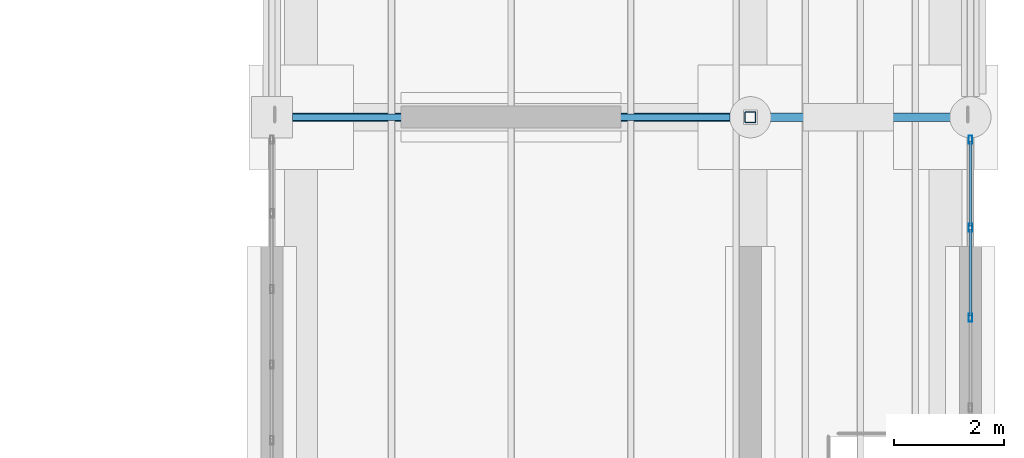
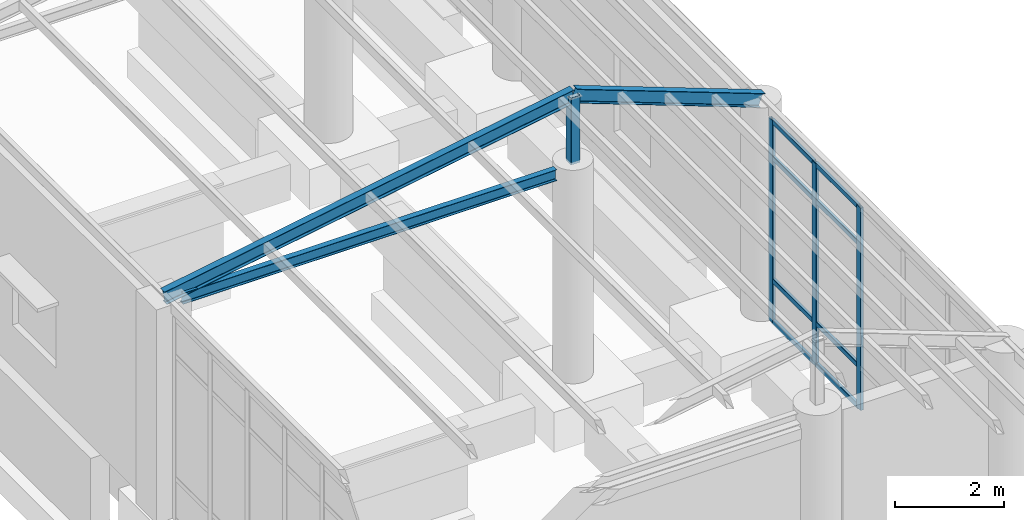
# One storey, part 68 of 111: 14 members, 1 beam, 1 element without a shape of its own.
"""IFC4 building model written with IfcOpenShell, lengths in metres."""

import ifcopenshell
import ifcopenshell.guid

model = None  # the IFC model being written
_history = None  # IfcOwnerHistory: only IFC2X3 demands one
_inside = {}  # id of a spatial element -> (the spatial element, [elements in it])
_under = {}  # id of a project, library or spatial element -> (it, [spatial elements below it])
_declared = {}  # id of a project -> (the project, [libraries it declares])
_typed = {}  # id of a type object -> (the type object, [elements of that type])
_made_of = {}  # id of a material, layer set ... -> (it, [elements and type objects made of it])


def new_model(schema):
    """Start an empty IFC model of exactly this schema.

    Asked for "IFC4X3", IfcOpenShell would pick the latest addendum, in which some entities
    have other attributes; the version numbers below select the first issue.
    IFC2X3 requires an IfcOwnerHistory on every rooted entity: one is made here for all.
    """
    global model, _history
    if schema == "IFC4X3":
        model = ifcopenshell.file(schema_version=(4, 3, 0, 0))
    else:
        model = ifcopenshell.file(schema=schema)
    _inside.clear()
    _under.clear()
    _declared.clear()
    _typed.clear()
    _made_of.clear()
    _history = None
    if model.schema == "IFC2X3":
        org = make("IfcOrganization", Name="unknown")
        user = make(
            "IfcPersonAndOrganization",
            ThePerson=make("IfcPerson", FamilyName="unknown"),
            TheOrganization=org,
        )
        app = make(
            "IfcApplication",
            ApplicationDeveloper=org,
            Version="unknown",
            ApplicationFullName="unknown",
            ApplicationIdentifier="unknown",
        )
        _history = make(
            "IfcOwnerHistory",
            OwningUser=user,
            OwningApplication=app,
            ChangeAction="ADDED",
            CreationDate=0,
        )
    return model


def make(cls, **values):
    """One entity of the class cls with the attributes given. An attribute that is None is left unset."""
    return model.create_entity(
        cls, **{name: value for name, value in values.items() if value is not None}
    )


def rooted(cls, **values):
    """An entity with a GlobalId (a new one), such as an element, a storey or a relation."""
    return make(cls, GlobalId=ifcopenshell.guid.new(), OwnerHistory=_history, **values)


def si_unit(unit_type, name, prefix=None):
    """IfcSIUnit, for example si_unit("LENGTHUNIT", "METRE", prefix="MILLI")."""
    return make("IfcSIUnit", UnitType=unit_type, Prefix=prefix, Name=name)


def assignment(units):
    """IfcUnitAssignment: the units of a project."""
    return None if units is None else make("IfcUnitAssignment", Units=units)


def point(xyz):
    """IfcCartesianPoint."""
    return None if xyz is None else make("IfcCartesianPoint", Coordinates=xyz)


def direction(xyz):
    """IfcDirection."""
    return None if xyz is None else make("IfcDirection", DirectionRatios=xyz)


def frame(location, z_axis=None, x_axis=None):
    """IfcAxis2Placement3D, a coordinate frame: its origin and axes. An axis left out is left unset."""
    return make(
        "IfcAxis2Placement3D",
        Location=point(location),
        Axis=direction(z_axis),
        RefDirection=direction(x_axis),
    )


def frame_2d(location, x_axis=None):
    """IfcAxis2Placement2D, a coordinate frame in the plane: its origin and x axis."""
    return make(
        "IfcAxis2Placement2D", Location=point(location), RefDirection=direction(x_axis)
    )


def origin():
    """The frame at (0, 0, 0) with its axes left unset."""
    return frame((0.0, 0.0, 0.0))


def origin_2d():
    """The frame at (0, 0) in the plane with its x axis left unset."""
    return frame_2d((0.0, 0.0))


def place(relative_to, where):
    """IfcLocalPlacement: puts the frame where relative to a parent placement (None: the world)."""
    return make(
        "IfcLocalPlacement", PlacementRelTo=relative_to, RelativePlacement=where
    )


def context(
    kind, dimensions, precision=None, world=None, true_north=None, identifier=None
):
    """IfcGeometricRepresentationContext, for example the 3D "Model" context."""
    return make(
        "IfcGeometricRepresentationContext",
        ContextIdentifier=identifier,
        ContextType=kind,
        CoordinateSpaceDimension=dimensions,
        Precision=precision,
        WorldCoordinateSystem=world,
        TrueNorth=true_north,
    )


def subcontext(parent, identifier, kind, view, scale=None):
    """IfcGeometricRepresentationSubContext, for example "Body" below "Model"."""
    return make(
        "IfcGeometricRepresentationSubContext",
        ContextIdentifier=identifier,
        ContextType=kind,
        ParentContext=parent,
        TargetScale=scale,
        TargetView=view,
    )


def project(units=None, contexts=None):
    """IfcProject with its units and contexts."""
    return rooted(
        "IfcProject",
        Name="project",
        RepresentationContexts=contexts,
        UnitsInContext=assignment(units),
    )


def spatial(cls, under=None, at=None, **own):
    """A site, building, storey or space (cls), placed at a placement, below another one or the project."""
    s = rooted(cls, ObjectPlacement=at, **own)
    if under is not None:
        _under.setdefault(under.id(), (under, []))[1].append(s)
    return s


def profile(cls, at=None, kind="AREA", **sizes):
    """A parametric profile (cls). Its sizes go by their IFC names, for example OverallWidth=200.0."""
    return make(cls, ProfileType=kind, Position=at, **sizes)


def hollow_rectangle(**sizes):
    """IfcRectangleHollowProfileDef."""
    return profile("IfcRectangleHollowProfileDef", **sizes)


def i_section(**sizes):
    """IfcIShapeProfileDef."""
    return profile("IfcIShapeProfileDef", **sizes)


def extrude(swept, where, along, depth):
    """IfcExtrudedAreaSolid: the profile swept, set in the frame where, extruded along a direction by depth."""
    return make(
        "IfcExtrudedAreaSolid",
        SweptArea=swept,
        Position=where,
        ExtrudedDirection=direction(along),
        Depth=depth,
    )


def shape(context_of_items, identifier, shape_type, items):
    """IfcShapeRepresentation: the items that make up one representation, for example the "Body"."""
    return make(
        "IfcShapeRepresentation",
        ContextOfItems=context_of_items,
        RepresentationIdentifier=identifier,
        RepresentationType=shape_type,
        Items=items,
    )


def material(Name=None, Category=None):
    """IfcMaterial."""
    return make("IfcMaterial", Name=Name, Category=Category)


def material_profile(
    of_material, cross_section, Name=None, Category=None, Priority=None
):
    """IfcMaterialProfile: a cross section and its material."""
    return make(
        "IfcMaterialProfile",
        Name=Name,
        Material=of_material,
        Profile=cross_section,
        Priority=Priority,
        Category=Category,
    )


def profile_set(profiles, Name=None, composite=None):
    """IfcMaterialProfileSet."""
    return make(
        "IfcMaterialProfileSet",
        Name=Name,
        MaterialProfiles=profiles,
        CompositeProfile=composite,
    )


def made_of(thing, what):
    """Note that an element or type object is made of a material, layer set ...; save() writes the relation."""
    if what is not None:
        _made_of.setdefault(what.id(), (what, []))[1].append(thing)
    return thing


def type_object(cls, material=None, **own):
    """A type object (cls), such as IfcWallType, which elements share."""
    return made_of(rooted(cls, **own), material)


def element(
    cls,
    number,
    at=None,
    inside=None,
    cuts=None,
    type_object=None,
    material=None,
    context=None,
    identifier="Body",
    shape_type=None,
    held_by="IfcProductDefinitionShape",
    body=None,
    shapes=None,
    **own,
):
    """One element of the class cls, such as IfcWall. Its Tag is "e" and its number.

    at: its placement. inside: the storey or other place that contains it. cuts: it is an
    opening in that element (IfcRelVoidsElement). A single representation is given by context,
    identifier, shape_type and body (its items); several are given by shapes. held_by: the class
    of the entity that holds the representations. save() writes the other relations.
    """
    e = rooted(cls, Tag="e%d" % number, ObjectPlacement=at, **own)
    if body is not None:
        shapes = [shape(context, identifier, shape_type, body)]
    if shapes is not None:
        e.Representation = make(held_by, Representations=shapes)
    if inside is not None:
        _inside.setdefault(inside.id(), (inside, []))[1].append(e)
    if cuts is not None:
        rooted(
            "IfcRelVoidsElement", RelatingBuildingElement=cuts, RelatedOpeningElement=e
        )
    if type_object is not None:
        _typed.setdefault(type_object.id(), (type_object, []))[1].append(e)
    return made_of(e, material)


def aggregate(whole, parts):
    """IfcRelAggregates: a whole, such as a stair, and the parts it consists of."""
    return rooted("IfcRelAggregates", RelatingObject=whole, RelatedObjects=parts)


def save(model, path):
    """Write the relations noted so far, then the file.

    IfcRelAggregates (storeys below a building ...), IfcRelContainedInSpatialStructure (elements
    in a storey), IfcRelDefinesByType, IfcRelAssociatesMaterial and IfcRelDeclares: one each for
    every whole, place, type object, material and project.
    """
    for whole, parts in _under.values():
        aggregate(whole, parts)
    for where, things in _inside.values():
        rooted(
            "IfcRelContainedInSpatialStructure",
            RelatedElements=things,
            RelatingStructure=where,
        )
    for kind, things in _typed.values():
        rooted("IfcRelDefinesByType", RelatedObjects=things, RelatingType=kind)
    for what, things in _made_of.values():
        rooted("IfcRelAssociatesMaterial", RelatedObjects=things, RelatingMaterial=what)
    for by, libraries in _declared.values():
        rooted("IfcRelDeclares", RelatingContext=by, RelatedDefinitions=libraries)
    model.write(path)


model = new_model("IFC4")

# Units and contexts
model_context = context("Model", 3, precision=1e-05, world=origin(), true_north=direction((0.0, 1.0)))
body_context = subcontext(model_context, "Body", "Model", "MODEL_VIEW")
ifc_project = project(units=[si_unit("LENGTHUNIT", "METRE"), si_unit("AREAUNIT", "SQUARE_METRE"), si_unit("VOLUMEUNIT", "CUBIC_METRE"), si_unit("PLANEANGLEUNIT", "RADIAN"), si_unit("MASSUNIT", "GRAM", prefix="KILO")], contexts=[model_context])

# Site, building, storey
site_placement = place(None, origin())
site = spatial("IfcSite", under=ifc_project, at=site_placement, CompositionType="ELEMENT")
building_placement = place(site_placement, origin())
building = spatial("IfcBuilding", under=site, at=building_placement, Name="Canglan Escarpment Cableway Terminal", CompositionType="ELEMENT")
storey_placement = place(building_placement, frame((0.0, 0.0, 4.800048828125)))
storey = spatial("IfcBuildingStorey", under=building, at=storey_placement, Name="L01", CompositionType="ELEMENT", Elevation=4.800048828125)

# Beam
ifc_material_1 = material(Name="Steel Q355B", Category="steel")
ifc_material_profile_1 = material_profile(ifc_material_1, i_section(OverallWidth=0.125, OverallDepth=0.25, WebThickness=0.006103515625, FlangeThickness=0.009033203125, FilletRadius=0.011962890625, at=origin_2d()), Name="HN 250x125x6x9")
ifc_profile_set_1 = profile_set([ifc_material_profile_1], Name="Steel Q355B")
beam_type = type_object("IfcBeamType", Name="BM-CANOPY-HN250", PredefinedType="BEAM", material=ifc_profile_set_1)
beam_placement = place(storey_placement, frame((167.675048828125, 106.0, 4.599853515625), z_axis=(1.0, 0.0, 0.0), x_axis=(0.0, 1.0, 0.0)))
element("IfcBeam", 1, at=beam_placement, inside=storey, type_object=beam_type, Name="Colonnade tie beam RF-B3", PredefinedType="BEAM", context=body_context, shape_type="SweptSolid", body=[
    extrude(i_section(OverallWidth=0.125, OverallDepth=0.25, WebThickness=0.006103515625, FlangeThickness=0.009033203125, FilletRadius=0.011962890625, at=origin_2d()), origin(), (0.0, 0.0, 1.0), 7.949951171875),
])

# Curtain wall, members
ifc_material_2 = material(Name="Anodized bronze aluminium and Low-E double glazing", Category="aluminium")
curtain_wall_type = type_object("IfcCurtainWallType", Name="CW-BAY-8175x4550", PredefinedType="NOTDEFINED", material=ifc_material_2)
curtain_wall_placement = place(storey_placement, origin())
curtain_wall = element("IfcCurtainWall", 2, at=curtain_wall_placement, inside=storey, type_object=curtain_wall_type, Name="Classical bay-between-piers glazed curtain wall CW-41", PredefinedType="NOTDEFINED")
ifc_material_3 = material(Name="Thermally broken anodized aluminium 6063-T6", Category="aluminium")
ifc_material_profile_2 = material_profile(ifc_material_3, hollow_rectangle(XDim=0.06494140625, YDim=0.14990234375, WallThickness=0.00341796875, InnerFilletRadius=0.00341796875, OuterFilletRadius=0.007080078125, at=origin_2d()), Name="ALU-MULL 65x150x3.5")
ifc_profile_set_2 = profile_set([ifc_material_profile_2], Name="Thermally broken anodized aluminium 6063-T6")
member_type_1 = type_object("IfcMemberType", Name="CWM-02", PredefinedType="MULLION", material=ifc_profile_set_2)
member_1_placement = place(storey_placement, frame((180.0, 102.35498046875, 0.0), z_axis=(0.0, 0.0, 1.0), x_axis=(-1.0, 0.0, 0.0)))
member_1 = element("IfcMember", 3, at=member_1_placement, type_object=member_type_1, Name="CW-41 mullion 4", PredefinedType="MULLION", context=body_context, shape_type="SweptSolid", body=[
    extrude(hollow_rectangle(XDim=0.06494140625, YDim=0.14990234375, WallThickness=0.00341796875, InnerFilletRadius=0.00341796875, OuterFilletRadius=0.007080078125, at=origin_2d()), origin(), (0.0, 0.0, 1.0), 4.550048828125),
])
member_2_placement = place(storey_placement, frame((180.0, 103.989990234375, 0.0), z_axis=(0.0, 0.0, 1.0), x_axis=(-1.0, 0.0, 0.0)))
member_2 = element("IfcMember", 4, at=member_2_placement, type_object=member_type_1, Name="CW-41 mullion 5", PredefinedType="MULLION", context=body_context, shape_type="SweptSolid", body=[
    extrude(hollow_rectangle(XDim=0.06494140625, YDim=0.14990234375, WallThickness=0.00341796875, InnerFilletRadius=0.00341796875, OuterFilletRadius=0.007080078125, at=origin_2d()), origin(), (0.0, 0.0, 1.0), 4.550048828125),
])
member_3_placement = place(storey_placement, frame((180.0, 105.592529296875, 0.0), z_axis=(0.0, 0.0, 1.0), x_axis=(-1.0, 0.0, 0.0)))
member_3 = element("IfcMember", 5, at=member_3_placement, type_object=member_type_1, Name="CW-41 mullion 6", PredefinedType="MULLION", context=body_context, shape_type="SweptSolid", body=[
    extrude(hollow_rectangle(XDim=0.06494140625, YDim=0.14990234375, WallThickness=0.00341796875, InnerFilletRadius=0.00341796875, OuterFilletRadius=0.007080078125, at=origin_2d()), origin(), (0.0, 0.0, 1.0), 4.550048828125),
])
ifc_material_profile_3 = material_profile(ifc_material_3, hollow_rectangle(XDim=0.06005859375, YDim=0.110107421875, WallThickness=0.0029296875, InnerFilletRadius=0.0029296875, OuterFilletRadius=0.006103515625, at=origin_2d()), Name="ALU-TRAN 60x110x3")
ifc_profile_set_3 = profile_set([ifc_material_profile_3], Name="Thermally broken anodized aluminium 6063-T6")
member_type_2 = type_object("IfcMemberType", Name="CWT-02", PredefinedType="USERDEFINED", material=ifc_profile_set_3)
member_4_placement = place(storey_placement, frame((180.0, 102.387451171875, 0.030029296875), z_axis=(0.0, 1.0, 0.0), x_axis=(-1.0, 0.0, 0.0)))
member_4 = element("IfcMember", 6, at=member_4_placement, type_object=member_type_2, Name="CW-41 transom 4.1", ObjectType="TRANSOM", PredefinedType="USERDEFINED", context=body_context, shape_type="SweptSolid", body=[
    extrude(hollow_rectangle(XDim=0.06005859375, YDim=0.110107421875, WallThickness=0.0029296875, InnerFilletRadius=0.0029296875, OuterFilletRadius=0.006103515625, at=origin_2d()), origin(), (0.0, 0.0, 1.0), 1.570068359375),
])
member_5_placement = place(storey_placement, frame((180.0, 102.387451171875, 0.949951171875), z_axis=(0.0, 1.0, 0.0), x_axis=(-1.0, 0.0, 0.0)))
member_5 = element("IfcMember", 7, at=member_5_placement, type_object=member_type_2, Name="CW-41 transom 4.2", ObjectType="TRANSOM", PredefinedType="USERDEFINED", context=body_context, shape_type="SweptSolid", body=[
    extrude(hollow_rectangle(XDim=0.06005859375, YDim=0.110107421875, WallThickness=0.0029296875, InnerFilletRadius=0.0029296875, OuterFilletRadius=0.006103515625, at=origin_2d()), origin(), (0.0, 0.0, 1.0), 1.570068359375),
])
member_6_placement = place(storey_placement, frame((180.0, 102.387451171875, 3.699951171875), z_axis=(0.0, 1.0, 0.0), x_axis=(-1.0, 0.0, 0.0)))
member_6 = element("IfcMember", 8, at=member_6_placement, type_object=member_type_2, Name="CW-41 transom 4.3", ObjectType="TRANSOM", PredefinedType="USERDEFINED", context=body_context, shape_type="SweptSolid", body=[
    extrude(hollow_rectangle(XDim=0.06005859375, YDim=0.110107421875, WallThickness=0.0029296875, InnerFilletRadius=0.0029296875, OuterFilletRadius=0.006103515625, at=origin_2d()), origin(), (0.0, 0.0, 1.0), 1.570068359375),
])
member_7_placement = place(storey_placement, frame((180.0, 102.387451171875, 4.52001953125), z_axis=(0.0, 1.0, 0.0), x_axis=(-1.0, 0.0, 0.0)))
member_7 = element("IfcMember", 9, at=member_7_placement, type_object=member_type_2, Name="CW-41 transom 4.4", ObjectType="TRANSOM", PredefinedType="USERDEFINED", context=body_context, shape_type="SweptSolid", body=[
    extrude(hollow_rectangle(XDim=0.06005859375, YDim=0.110107421875, WallThickness=0.0029296875, InnerFilletRadius=0.0029296875, OuterFilletRadius=0.006103515625, at=origin_2d()), origin(), (0.0, 0.0, 1.0), 1.570068359375),
])
member_8_placement = place(storey_placement, frame((180.0, 104.0224609375, 0.030029296875), z_axis=(0.0, 1.0, 0.0), x_axis=(-1.0, 0.0, 0.0)))
member_8 = element("IfcMember", 10, at=member_8_placement, type_object=member_type_2, Name="CW-41 transom 5.1", ObjectType="TRANSOM", PredefinedType="USERDEFINED", context=body_context, shape_type="SweptSolid", body=[
    extrude(hollow_rectangle(XDim=0.06005859375, YDim=0.110107421875, WallThickness=0.0029296875, InnerFilletRadius=0.0029296875, OuterFilletRadius=0.006103515625, at=origin_2d()), origin(), (0.0, 0.0, 1.0), 1.53759765625),
])
member_9_placement = place(storey_placement, frame((180.0, 104.0224609375, 0.949951171875), z_axis=(0.0, 1.0, 0.0), x_axis=(-1.0, 0.0, 0.0)))
member_9 = element("IfcMember", 11, at=member_9_placement, type_object=member_type_2, Name="CW-41 transom 5.2", ObjectType="TRANSOM", PredefinedType="USERDEFINED", context=body_context, shape_type="SweptSolid", body=[
    extrude(hollow_rectangle(XDim=0.06005859375, YDim=0.110107421875, WallThickness=0.0029296875, InnerFilletRadius=0.0029296875, OuterFilletRadius=0.006103515625, at=origin_2d()), origin(), (0.0, 0.0, 1.0), 1.53759765625),
])
member_10_placement = place(storey_placement, frame((180.0, 104.0224609375, 3.699951171875), z_axis=(0.0, 1.0, 0.0), x_axis=(-1.0, 0.0, 0.0)))
member_10 = element("IfcMember", 12, at=member_10_placement, type_object=member_type_2, Name="CW-41 transom 5.3", ObjectType="TRANSOM", PredefinedType="USERDEFINED", context=body_context, shape_type="SweptSolid", body=[
    extrude(hollow_rectangle(XDim=0.06005859375, YDim=0.110107421875, WallThickness=0.0029296875, InnerFilletRadius=0.0029296875, OuterFilletRadius=0.006103515625, at=origin_2d()), origin(), (0.0, 0.0, 1.0), 1.53759765625),
])
member_11_placement = place(storey_placement, frame((180.0, 104.0224609375, 4.52001953125), z_axis=(0.0, 1.0, 0.0), x_axis=(-1.0, 0.0, 0.0)))
member_11 = element("IfcMember", 13, at=member_11_placement, type_object=member_type_2, Name="CW-41 transom 5.4", ObjectType="TRANSOM", PredefinedType="USERDEFINED", context=body_context, shape_type="SweptSolid", body=[
    extrude(hollow_rectangle(XDim=0.06005859375, YDim=0.110107421875, WallThickness=0.0029296875, InnerFilletRadius=0.0029296875, OuterFilletRadius=0.006103515625, at=origin_2d()), origin(), (0.0, 0.0, 1.0), 1.53759765625),
])
aggregate(curtain_wall, [member_1, member_2, member_3, member_4, member_5, member_6, member_7, member_8, member_9, member_10, member_11])

# Members
ifc_material_profile_4 = material_profile(ifc_material_1, i_section(OverallWidth=0.14990234375, OverallDepth=0.300048828125, WebThickness=0.006591796875, FlangeThickness=0.009033203125, FilletRadius=0.012939453125, at=origin_2d()), Name="HN 300x150x6.5x9")
ifc_profile_set_4 = profile_set([ifc_material_profile_4], Name="Steel Q355B")
member_type_3 = type_object("IfcMemberType", Name="MB-COL-RAFT-HN300", PredefinedType="RAFTER", material=ifc_profile_set_4)
member_12_placement = place(storey_placement, frame((167.300048828125, 106.0, 4.75), z_axis=(0.985459956077, 0.0, 0.169907842574), x_axis=(0.0, 1.0, 0.0)))
element("IfcMember", 14, at=member_12_placement, inside=storey, type_object=member_type_3, Name="Colonnade pitched rafter RF-R01", PredefinedType="RAFTER", context=body_context, shape_type="SweptSolid", body=[
    extrude(i_section(OverallWidth=0.14990234375, OverallDepth=0.300048828125, WebThickness=0.006591796875, FlangeThickness=0.009033203125, FilletRadius=0.012939453125, at=origin_2d()), origin(), (0.0, 0.0, 1.0), 8.828369140625),
])
member_13_placement = place(storey_placement, frame((176.0, 106.0, 6.25), z_axis=(0.936329177569, 0.0, -0.351123441588), x_axis=(0.0, 1.0, 0.0)))
element("IfcMember", 15, at=member_13_placement, inside=storey, type_object=member_type_3, Name="Colonnade pitched rafter RF-R01", PredefinedType="RAFTER", context=body_context, shape_type="SweptSolid", body=[
    extrude(i_section(OverallWidth=0.14990234375, OverallDepth=0.300048828125, WebThickness=0.006591796875, FlangeThickness=0.009033203125, FilletRadius=0.012939453125, at=origin_2d()), origin(), (0.0, 0.0, 1.0), 4.27197265625),
])
ifc_material_profile_5 = material_profile(ifc_material_1, hollow_rectangle(XDim=0.199951171875, YDim=0.199951171875, WallThickness=0.008056640625, InnerFilletRadius=0.008056640625, OuterFilletRadius=0.01611328125, at=origin_2d()), Name="SHS 200x200x8")
ifc_profile_set_5 = profile_set([ifc_material_profile_5], Name="Steel Q355B")
member_type_4 = type_object("IfcMemberType", Name="MB-PRATT-WEB-SHS200", PredefinedType="BRACE", material=ifc_profile_set_5)
member_14_placement = place(storey_placement, frame((176.0, 106.0, 4.75), z_axis=(0.0, 0.0, 1.0), x_axis=(1.0, 0.0, 0.0)))
element("IfcMember", 16, at=member_14_placement, inside=storey, type_object=member_type_4, Name="Colonnade ridge ROOF TRUSS strut PT-WB1", PredefinedType="BRACE", context=body_context, shape_type="SweptSolid", body=[
    extrude(hollow_rectangle(XDim=0.199951171875, YDim=0.199951171875, WallThickness=0.008056640625, InnerFilletRadius=0.008056640625, OuterFilletRadius=0.01611328125, at=origin_2d()), origin(), (0.0, 0.0, 1.0), 1.5),
])

save(model, "model.ifc")
